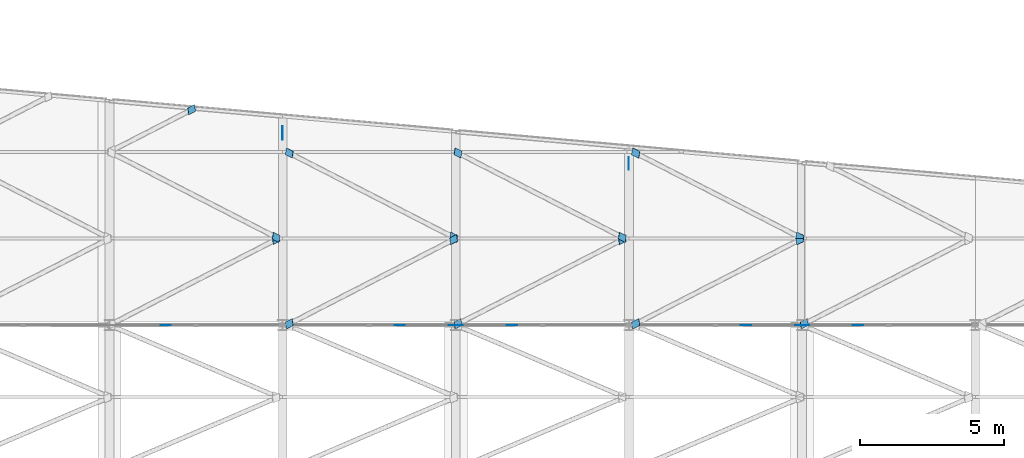
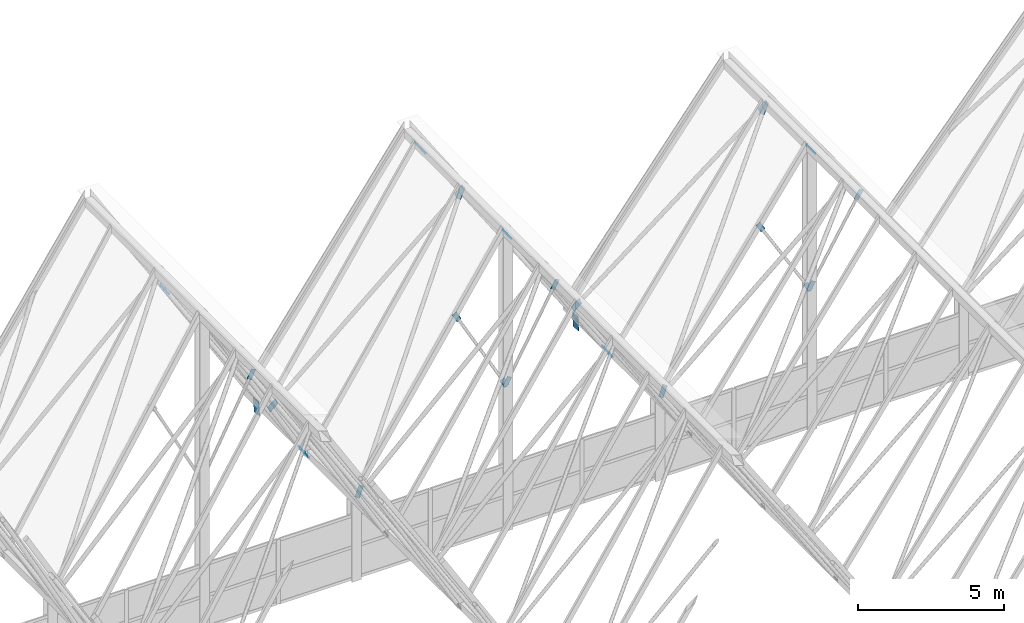
# One storey, part 427 of 483: 27 discrete accessories.
"""IFC4 building model written with IfcOpenShell, lengths in metres."""

import ifcopenshell
import ifcopenshell.guid

model = None  # the IFC model being written
_history = None  # IfcOwnerHistory: only IFC2X3 demands one
_inside = {}  # id of a spatial element -> (the spatial element, [elements in it])
_under = {}  # id of a project, library or spatial element -> (it, [spatial elements below it])
_declared = {}  # id of a project -> (the project, [libraries it declares])
_typed = {}  # id of a type object -> (the type object, [elements of that type])
_made_of = {}  # id of a material, layer set ... -> (it, [elements and type objects made of it])


def new_model(schema):
    """Start an empty IFC model of exactly this schema.

    Asked for "IFC4X3", IfcOpenShell would pick the latest addendum, in which some entities
    have other attributes; the version numbers below select the first issue.
    IFC2X3 requires an IfcOwnerHistory on every rooted entity: one is made here for all.
    """
    global model, _history
    if schema == "IFC4X3":
        model = ifcopenshell.file(schema_version=(4, 3, 0, 0))
    else:
        model = ifcopenshell.file(schema=schema)
    _inside.clear()
    _under.clear()
    _declared.clear()
    _typed.clear()
    _made_of.clear()
    _history = None
    if model.schema == "IFC2X3":
        org = make("IfcOrganization", Name="unknown")
        user = make(
            "IfcPersonAndOrganization",
            ThePerson=make("IfcPerson", FamilyName="unknown"),
            TheOrganization=org,
        )
        app = make(
            "IfcApplication",
            ApplicationDeveloper=org,
            Version="unknown",
            ApplicationFullName="unknown",
            ApplicationIdentifier="unknown",
        )
        _history = make(
            "IfcOwnerHistory",
            OwningUser=user,
            OwningApplication=app,
            ChangeAction="ADDED",
            CreationDate=0,
        )
    return model


def make(cls, **values):
    """One entity of the class cls with the attributes given. An attribute that is None is left unset."""
    return model.create_entity(
        cls, **{name: value for name, value in values.items() if value is not None}
    )


def rooted(cls, **values):
    """An entity with a GlobalId (a new one), such as an element, a storey or a relation."""
    return make(cls, GlobalId=ifcopenshell.guid.new(), OwnerHistory=_history, **values)


def si_unit(unit_type, name, prefix=None):
    """IfcSIUnit, for example si_unit("LENGTHUNIT", "METRE", prefix="MILLI")."""
    return make("IfcSIUnit", UnitType=unit_type, Prefix=prefix, Name=name)


def assignment(units):
    """IfcUnitAssignment: the units of a project."""
    return None if units is None else make("IfcUnitAssignment", Units=units)


def point(xyz):
    """IfcCartesianPoint."""
    return None if xyz is None else make("IfcCartesianPoint", Coordinates=xyz)


def direction(xyz):
    """IfcDirection."""
    return None if xyz is None else make("IfcDirection", DirectionRatios=xyz)


def frame(location, z_axis=None, x_axis=None):
    """IfcAxis2Placement3D, a coordinate frame: its origin and axes. An axis left out is left unset."""
    return make(
        "IfcAxis2Placement3D",
        Location=point(location),
        Axis=direction(z_axis),
        RefDirection=direction(x_axis),
    )


def origin():
    """The frame at (0, 0, 0) with its axes left unset."""
    return frame((0.0, 0.0, 0.0))


def place(relative_to, where):
    """IfcLocalPlacement: puts the frame where relative to a parent placement (None: the world)."""
    return make(
        "IfcLocalPlacement", PlacementRelTo=relative_to, RelativePlacement=where
    )


def context(
    kind, dimensions, precision=None, world=None, true_north=None, identifier=None
):
    """IfcGeometricRepresentationContext, for example the 3D "Model" context."""
    return make(
        "IfcGeometricRepresentationContext",
        ContextIdentifier=identifier,
        ContextType=kind,
        CoordinateSpaceDimension=dimensions,
        Precision=precision,
        WorldCoordinateSystem=world,
        TrueNorth=true_north,
    )


def subcontext(parent, identifier, kind, view, scale=None):
    """IfcGeometricRepresentationSubContext, for example "Body" below "Model"."""
    return make(
        "IfcGeometricRepresentationSubContext",
        ContextIdentifier=identifier,
        ContextType=kind,
        ParentContext=parent,
        TargetScale=scale,
        TargetView=view,
    )


def project(units=None, contexts=None):
    """IfcProject with its units and contexts."""
    return rooted(
        "IfcProject",
        Name="project",
        RepresentationContexts=contexts,
        UnitsInContext=assignment(units),
    )


def spatial(cls, under=None, at=None, **own):
    """A site, building, storey or space (cls), placed at a placement, below another one or the project."""
    s = rooted(cls, ObjectPlacement=at, **own)
    if under is not None:
        _under.setdefault(under.id(), (under, []))[1].append(s)
    return s


def polyline(points):
    """IfcPolyline through the points."""
    return make("IfcPolyline", Points=[point(p) for p in points])


def outline(outer, holes=None, kind="AREA"):
    """IfcArbitraryClosedProfileDef: a profile drawn as a closed curve; with holes, ...WithVoids."""
    if holes is None:
        return make("IfcArbitraryClosedProfileDef", ProfileType=kind, OuterCurve=outer)
    return make(
        "IfcArbitraryProfileDefWithVoids",
        ProfileType=kind,
        OuterCurve=outer,
        InnerCurves=holes,
    )


def extrude(swept, where, along, depth):
    """IfcExtrudedAreaSolid: the profile swept, set in the frame where, extruded along a direction by depth."""
    return make(
        "IfcExtrudedAreaSolid",
        SweptArea=swept,
        Position=where,
        ExtrudedDirection=direction(along),
        Depth=depth,
    )


def shape(context_of_items, identifier, shape_type, items):
    """IfcShapeRepresentation: the items that make up one representation, for example the "Body"."""
    return make(
        "IfcShapeRepresentation",
        ContextOfItems=context_of_items,
        RepresentationIdentifier=identifier,
        RepresentationType=shape_type,
        Items=items,
    )


def material(Name=None, Category=None):
    """IfcMaterial."""
    return make("IfcMaterial", Name=Name, Category=Category)


def layer(
    of_material, thickness, ventilated=None, Name=None, Category=None, Priority=None
):
    """IfcMaterialLayer: one layer of a wall or slab, of a material (None: an air gap)."""
    return make(
        "IfcMaterialLayer",
        Material=of_material,
        LayerThickness=thickness,
        IsVentilated=ventilated,
        Name=Name,
        Category=Category,
        Priority=Priority,
    )


def layer_set(layers, Name=None):
    """IfcMaterialLayerSet."""
    return make("IfcMaterialLayerSet", MaterialLayers=layers, LayerSetName=Name)


def made_of(thing, what):
    """Note that an element or type object is made of a material, layer set ...; save() writes the relation."""
    if what is not None:
        _made_of.setdefault(what.id(), (what, []))[1].append(thing)
    return thing


def type_object(cls, material=None, **own):
    """A type object (cls), such as IfcWallType, which elements share."""
    return made_of(rooted(cls, **own), material)


def element(
    cls,
    number,
    at=None,
    inside=None,
    cuts=None,
    type_object=None,
    material=None,
    context=None,
    identifier="Body",
    shape_type=None,
    held_by="IfcProductDefinitionShape",
    body=None,
    shapes=None,
    **own,
):
    """One element of the class cls, such as IfcWall. Its Tag is "e" and its number.

    at: its placement. inside: the storey or other place that contains it. cuts: it is an
    opening in that element (IfcRelVoidsElement). A single representation is given by context,
    identifier, shape_type and body (its items); several are given by shapes. held_by: the class
    of the entity that holds the representations. save() writes the other relations.
    """
    e = rooted(cls, Tag="e%d" % number, ObjectPlacement=at, **own)
    if body is not None:
        shapes = [shape(context, identifier, shape_type, body)]
    if shapes is not None:
        e.Representation = make(held_by, Representations=shapes)
    if inside is not None:
        _inside.setdefault(inside.id(), (inside, []))[1].append(e)
    if cuts is not None:
        rooted(
            "IfcRelVoidsElement", RelatingBuildingElement=cuts, RelatedOpeningElement=e
        )
    if type_object is not None:
        _typed.setdefault(type_object.id(), (type_object, []))[1].append(e)
    return made_of(e, material)


def aggregate(whole, parts):
    """IfcRelAggregates: a whole, such as a stair, and the parts it consists of."""
    return rooted("IfcRelAggregates", RelatingObject=whole, RelatedObjects=parts)


def save(model, path):
    """Write the relations noted so far, then the file.

    IfcRelAggregates (storeys below a building ...), IfcRelContainedInSpatialStructure (elements
    in a storey), IfcRelDefinesByType, IfcRelAssociatesMaterial and IfcRelDeclares: one each for
    every whole, place, type object, material and project.
    """
    for whole, parts in _under.values():
        aggregate(whole, parts)
    for where, things in _inside.values():
        rooted(
            "IfcRelContainedInSpatialStructure",
            RelatedElements=things,
            RelatingStructure=where,
        )
    for kind, things in _typed.values():
        rooted("IfcRelDefinesByType", RelatedObjects=things, RelatingType=kind)
    for what, things in _made_of.values():
        rooted("IfcRelAssociatesMaterial", RelatedObjects=things, RelatingMaterial=what)
    for by, libraries in _declared.values():
        rooted("IfcRelDeclares", RelatingContext=by, RelatedDefinitions=libraries)
    model.write(path)


model = new_model("IFC4")

# Units and contexts
model_context = context("Model", 3, precision=1e-05, world=origin(), true_north=direction((0.0, 1.0)))
body_context = subcontext(model_context, "Body", "Model", "MODEL_VIEW")
ifc_project = project(units=[si_unit("LENGTHUNIT", "METRE"), si_unit("AREAUNIT", "SQUARE_METRE"), si_unit("VOLUMEUNIT", "CUBIC_METRE"), si_unit("PLANEANGLEUNIT", "RADIAN"), si_unit("MASSUNIT", "GRAM", prefix="KILO")], contexts=[model_context])

# Site, building, storey
site_placement = place(None, origin())
site = spatial("IfcSite", under=ifc_project, at=site_placement, CompositionType="ELEMENT")
building_placement = place(site_placement, origin())
building = spatial("IfcBuilding", under=site, at=building_placement, Name="Parallax Yard Mobility Hub", CompositionType="ELEMENT")
storey_placement = place(building_placement, frame((0.0, 0.0, 13.199951171875)))
storey = spatial("IfcBuildingStorey", under=building, at=storey_placement, Name="L04", CompositionType="ELEMENT", Elevation=13.199951171875)

# Discrete accessories
ifc_material = material(Name="Steel ASTM A36", Category="steel")
ifc_layer = layer(ifc_material, 0.011962890625)
ifc_layer_set = layer_set([ifc_layer], Name="Gusset plate PL12")
discrete_accessory_type = type_object("IfcDiscreteAccessoryType", Name="Gusset plate PL12", PredefinedType="BRACKET", material=ifc_layer_set)
discrete_accessory_1_placement = place(storey_placement, frame((63.183349609375, 52.723388671875, 11.4384765625), z_axis=(0.817233065202, -0.000356728825, 0.576307200966), x_axis=(-0.552795347349, -0.283205498149, 0.783716753532)))
element("IfcDiscreteAccessory", 1, at=discrete_accessory_1_placement, inside=storey, type_object=discrete_accessory_type, Name="Gusset plate PL12 at end 1 of Plate diagonal plate F10-F11 bay 19", PredefinedType="BRACKET", context=body_context, shape_type="SweptSolid", body=[
    extrude(outline(polyline([(0.0, 0.0), (0.4482721056957862, -4.163336342344337e-17), (0.44812664163376725, 0.2482415157999427), (-0.00014546406201890183, 0.2482415157999427), (0.0, 0.0)])), origin(), (0.0, 0.0, -1.0), 0.011962890625),
])
discrete_accessory_2_placement = place(storey_placement, frame((44.67919921875, 55.28515625, 3.689697265625), z_axis=(0.854141993401, 0.000367941649, 0.520039728989), x_axis=(0.50240475338, 0.257625649475, -0.825359611632)))
element("IfcDiscreteAccessory", 2, at=discrete_accessory_2_placement, inside=storey, type_object=discrete_accessory_type, Name="Gusset plate PL12 at end 2 of Plate diagonal plate F6-F7 bay 19", PredefinedType="BRACKET", context=body_context, shape_type="SweptSolid", body=[
    extrude(outline(polyline([(0.0, 0.0), (0.448241291795483, 1.3877787807814457e-17), (0.4483295166068283, 0.24835071098278552), (-5.3518476674355164e-05, 0.24813570610908123), (0.0, 0.0)])), origin(), (0.0, 0.0, -1.0), 0.011962890625),
])
for number, where, z_axis, x_axis, name in (
    (3, (45.328125, 52.718994140625, 3.680908203125), (-0.837001748112, -0.000115134597, 0.547200201391), (-0.526843575848, -0.270050602449, -0.80592091343), "Gusset plate PL12 at end 1 of Plate diagonal plate F7-F8 bay 19"),
    (4, (50.82421875, 55.281005859375, 12.088134765625), (-0.837001748112, -0.000115134597, 0.547200201391), (0.526843575848, 0.270050602449, 0.80592091343), "Gusset plate PL12 at end 2 of Plate diagonal plate F7-F8 bay 19"),
    (5, (51.17578125, 52.718994140625, 12.088134765625), (0.837001748112, 0.000115134597, 0.547200201391), (-0.526843575848, -0.270050602449, 0.80592091343), "Gusset plate PL12 at end 1 of Plate diagonal plate F8-F9 bay 19"),
    (6, (56.671875, 55.281005859375, 3.680908203125), (0.837001748112, 0.000115134597, 0.547200201391), (0.526843575848, 0.270050602449, -0.80592091343), "Gusset plate PL12 at end 2 of Plate diagonal plate F8-F9 bay 19"),
):
    element("IfcDiscreteAccessory", number, at=place(storey_placement, frame(where, z_axis=z_axis, x_axis=x_axis)), inside=storey, type_object=discrete_accessory_type, Name=name, PredefinedType="BRACKET", context=body_context, shape_type="SweptSolid", body=[
        extrude(outline(polyline([(0.0, 0.0), (0.4484112871368857, -1.3877787807814457e-17), (0.4482805131514711, 0.2482733151511486), (-2.1500655297129745e-06, 0.24823721541154264), (0.0, 0.0)])), origin(), (0.0, 0.0, -1.0), 0.011962890625),
    ])
discrete_accessory_3_placement = place(storey_placement, frame((57.335693359375, 52.723388671875, 3.6708984375), z_axis=(-0.817100065981, 0.000129396714, 0.576495850315), x_axis=(-0.552923628498, -0.283205481325, -0.78362626066)))
element("IfcDiscreteAccessory", 7, at=discrete_accessory_3_placement, inside=storey, type_object=discrete_accessory_type, Name="Gusset plate PL12 at end 1 of Plate diagonal plate F9-F10 bay 19", PredefinedType="BRACKET", context=body_context, shape_type="SweptSolid", body=[
    extrude(outline(polyline([(0.0, 0.0), (0.4482721001719502, -2.7755575615628914e-17), (0.44812664715581085, 0.24824150583152582), (4.586198890468157e-05, 0.24818499246141407), (0.0, 0.0)])), origin(), (0.0, 0.0, -1.0), 0.011962890625),
])
discrete_accessory_4_placement = place(storey_placement, frame((62.816650390625, 55.276611328125, 11.4384765625), z_axis=(-0.817233065202, 0.000356728825, 0.576307200966), x_axis=(0.552795347349, 0.283205498149, 0.783716753532)))
element("IfcDiscreteAccessory", 8, at=discrete_accessory_4_placement, inside=storey, type_object=discrete_accessory_type, Name="Gusset plate PL12 at end 2 of Plate diagonal plate F9-F10 bay 19", PredefinedType="BRACKET", context=body_context, shape_type="SweptSolid", body=[
    extrude(outline(polyline([(0.0, 0.0), (0.4482721056957862, -4.163336342344337e-17), (0.44812664163376725, 0.2482415157999427), (-0.00014546406201890183, 0.2482415157999427), (0.0, 0.0)])), origin(), (0.0, 0.0, -1.0), 0.011962890625),
])
discrete_accessory_5_placement = place(storey_placement, frame((44.64599609375, 55.47509765625, 3.744384765625), z_axis=(0.854141993401, -0.000367941649, 0.520039728989), x_axis=(0.502340307164, -0.258088945379, -0.8252540894)))
element("IfcDiscreteAccessory", 9, at=discrete_accessory_5_placement, inside=storey, type_object=discrete_accessory_type, Name="Gusset plate PL12 at end 1 of Plate diagonal plate F6-F7 bay 20", PredefinedType="BRACKET", context=body_context, shape_type="SweptSolid", body=[
    extrude(outline(polyline([(0.0, 0.0), (0.44838308663216686, -1.3877787807814457e-17), (0.448175774793917, 0.24835064012616143), (-6.546546920333657e-05, 0.24813570324472056), (0.0, 0.0)])), origin(), (0.0, 0.0, -1.0), 0.011962890625),
])
for number, where, z_axis, x_axis, name in (
    (10, (50.78759765625, 55.47998046875, 12.031982421875), (-0.837001748112, 0.000115134597, 0.547200201391), (0.526831666762, -0.270128138577, 0.805902713512), "Gusset plate PL12 at end 1 of Plate diagonal plate F7-F8 bay 20"),
    (11, (45.36474609375, 58.52001953125, 3.737060546875), (-0.837001748112, 0.000115134597, 0.547200201391), (-0.526831666762, 0.270128138577, -0.805902713512), "Gusset plate PL12 at end 2 of Plate diagonal plate F7-F8 bay 20"),
    (12, (56.63525390625, 55.47998046875, 3.737060546875), (0.837001748112, -0.000115134597, 0.547200201391), (0.526831666762, -0.270128138577, -0.805902713512), "Gusset plate PL12 at end 1 of Plate diagonal plate F8-F9 bay 20"),
    (13, (51.21240234375, 58.52001953125, 12.031982421875), (0.837001748112, -0.000115134597, 0.547200201391), (-0.526831666762, 0.270128138577, 0.805902713512), "Gusset plate PL12 at end 2 of Plate diagonal plate F8-F9 bay 20"),
):
    element("IfcDiscreteAccessory", number, at=place(storey_placement, frame(where, z_axis=z_axis, x_axis=x_axis)), inside=storey, type_object=discrete_accessory_type, Name=name, PredefinedType="BRACKET", context=body_context, shape_type="SweptSolid", body=[
        extrude(outline(polyline([(0.0, 0.0), (0.44828266467053823, 0.0), (0.44839344546209436, 0.24827332487722686), (-1.7840220836971843e-05, 0.24823721477978666), (0.0, 0.0)])), origin(), (0.0, 0.0, -1.0), 0.011962890625),
    ])
discrete_accessory_6_placement = place(storey_placement, frame((62.776123046875, 55.4853515625, 11.380859375), z_axis=(-0.817233065202, -0.000356728825, 0.576307200966), x_axis=(0.552795347349, -0.283205498149, 0.783716753532)))
element("IfcDiscreteAccessory", 14, at=discrete_accessory_6_placement, inside=storey, type_object=discrete_accessory_type, Name="Gusset plate PL12 at end 1 of Plate diagonal plate F9-F10 bay 20", PredefinedType="BRACKET", context=body_context, shape_type="SweptSolid", body=[
    extrude(outline(polyline([(0.0, 0.0), (0.4482721056957862, 4.163336342344337e-17), (0.4484175697578051, 0.2482415157999427), (0.00014546406201890183, 0.2482415157999427), (0.0, 0.0)])), origin(), (0.0, 0.0, -1.0), 0.011962890625),
])
discrete_accessory_7_placement = place(storey_placement, frame((57.376220703125, 58.5146484375, 3.728271484375), z_axis=(-0.817100065981, -0.000129396714, 0.576495850315), x_axis=(-0.552903045164, 0.283326438667, -0.783597059592)))
element("IfcDiscreteAccessory", 15, at=discrete_accessory_7_placement, inside=storey, type_object=discrete_accessory_type, Name="Gusset plate PL12 at end 2 of Plate diagonal plate F9-F10 bay 20", PredefinedType="BRACKET", context=body_context, shape_type="SweptSolid", body=[
    extrude(outline(polyline([(0.0, 0.0), (0.44808078873072893, -1.3877787807814457e-17), (0.4481949327397263, 0.24824152220212592), (-7.716386687949689e-05, 0.24818498470320846), (0.0, 0.0)])), origin(), (0.0, 0.0, -1.0), 0.011962890625),
])
discrete_accessory_8_placement = place(storey_placement, frame((41.747802734375, 59.78125, 8.810791015625), z_axis=(0.838338150695, -0.008811090717, 0.545079360984), x_axis=(0.526830264754, 0.270126121911, -0.805904305982)))
element("IfcDiscreteAccessory", 16, at=discrete_accessory_8_placement, inside=storey, type_object=discrete_accessory_type, Name="Gusset plate PL12 at end 2 of Plate diagonal plate F6-F7 bay 21", PredefinedType="BRACKET", context=body_context, shape_type="SweptSolid", body=[
    extrude(outline(polyline([(0.0, 0.0), (0.4482826648775733, -2.7755575615628914e-17), (0.4484111292262526, 0.2484709412596441), (-6.610508165897505e-05, 0.2482701001093498), (0.0, 0.0)])), origin(), (0.0, 0.0, -1.0), 0.011962890625),
])
discrete_accessory_9_placement = place(storey_placement, frame((40.769287109375, 52.5, 9.826171875), z_axis=(0.0, 1.0, 0.0), x_axis=(0.459557706456, 0.0, 0.888147912477)))
element("IfcDiscreteAccessory", 17, at=discrete_accessory_9_placement, inside=storey, type_object=discrete_accessory_type, Name="Gusset plate PL12 at end 2 of Gable knee brace F6 north east", PredefinedType="BRACKET", context=body_context, shape_type="SweptSolid", body=[
    extrude(outline(polyline([(0.0, 0.0), (0.3941884581743374, 0.0), (0.39415065604978294, 0.19436491569433473), (-0.00014999883023220084, 0.1941480827078902), (0.0, 0.0)])), origin(), (0.0, 0.0, -1.0), 0.011962890625),
])
discrete_accessory_10_placement = place(storey_placement, frame((50.9326171875, 52.5, 6.322021484375), z_axis=(0.0, 1.0, 0.0), x_axis=(0.484696589666, 0.0, -0.874682351466)))
element("IfcDiscreteAccessory", 18, at=discrete_accessory_10_placement, inside=storey, type_object=discrete_accessory_type, Name="Gusset plate PL12 at end 1 of Gable knee brace F8 north west", PredefinedType="BRACKET", context=body_context, shape_type="SweptSolid", body=[
    extrude(outline(polyline([(0.0, 0.0), (0.39439540828368724, 0.0), (0.39424987090745744, 0.1941863046000413), (-0.0001455373762298401, 0.19418630460004133), (0.0, 0.0)])), origin(), (0.0, 0.0, -1.0), 0.011962890625),
])
discrete_accessory_11_placement = place(storey_placement, frame((49.0673828125, 52.5, 9.2890625), z_axis=(0.0, 1.0, 0.0), x_axis=(-0.484959149082, 0.0, 0.874536805241)))
element("IfcDiscreteAccessory", 19, at=discrete_accessory_11_placement, inside=storey, type_object=discrete_accessory_type, Name="Gusset plate PL12 at end 2 of Gable knee brace F8 north west", PredefinedType="BRACKET", context=body_context, shape_type="SweptSolid", body=[
    extrude(outline(polyline([(0.0, 0.0), (0.3941818805497862, 0.0), (0.39419155805515577, 0.19430465038906203), (-0.0002038324568474914, 0.19418625215930566), (0.0, 0.0)])), origin(), (0.0, 0.0, -1.0), 0.011962890625),
])
discrete_accessory_12_placement = place(storey_placement, frame((51.2373046875, 52.5, 6.22802734375), z_axis=(0.0, 1.0, 0.0), x_axis=(-0.484696589666, 0.0, -0.874682351466)))
element("IfcDiscreteAccessory", 20, at=discrete_accessory_12_placement, inside=storey, type_object=discrete_accessory_type, Name="Gusset plate PL12 at end 1 of Gable knee brace F8 north east", PredefinedType="BRACKET", context=body_context, shape_type="SweptSolid", body=[
    extrude(outline(polyline([(0.0, 0.0), (0.39439540828368724, 0.0), (0.39454094565991704, 0.19418630460004133), (0.0001455373762298401, 0.19418630460004133), (0.0, 0.0)])), origin(), (0.0, 0.0, -1.0), 0.011962890625),
])
discrete_accessory_13_placement = place(storey_placement, frame((52.7626953125, 52.5, 9.383056640625), z_axis=(0.0, 1.0, 0.0), x_axis=(0.484696589666, 0.0, 0.874682351466)))
element("IfcDiscreteAccessory", 21, at=discrete_accessory_13_placement, inside=storey, type_object=discrete_accessory_type, Name="Gusset plate PL12 at end 2 of Gable knee brace F8 north east", PredefinedType="BRACKET", context=body_context, shape_type="SweptSolid", body=[
    extrude(outline(polyline([(0.0, 0.0), (0.39439540828368724, 0.0), (0.3943274001639537, 0.19430463872837772), (0.0001455373762298401, 0.19418630460004133), (0.0, 0.0)])), origin(), (0.0, 0.0, -1.0), 0.011962890625),
])
for number, where, z_axis, x_axis, name in (
    (22, (62.9228515625, 52.5, 6.11962890625), (0.0, 1.0, 0.0), (0.51139678062, 0.0, -0.85934471126), "Gusset plate PL12 at end 1 of Gable knee brace F10 north west"),
    (23, (61.0771484375, 52.5, 8.841552734375), (0.0, 1.0, 0.0), (-0.51139678062, 0.0, 0.85934471126), "Gusset plate PL12 at end 2 of Gable knee brace F10 north west"),
):
    element("IfcDiscreteAccessory", number, at=place(storey_placement, frame(where, z_axis=z_axis, x_axis=x_axis)), inside=storey, type_object=discrete_accessory_type, Name=name, PredefinedType="BRACKET", context=body_context, shape_type="SweptSolid", body=[
        extrude(outline(polyline([(0.0, 0.0), (0.39433208008344256, -2.7755575615628914e-17), (0.39411200069559615, 0.19419406138524034), (-1.027843294887365e-05, 0.194318914114884), (0.0, 0.0)])), origin(), (0.0, 0.0, -1.0), 0.011962890625),
    ])
for number, where, z_axis, x_axis, name in (
    (24, (63.244140625, 52.5, 6.020263671875), (0.0, 1.0, 0.0), (-0.511668983995, 0.0, -0.859182664407), "Gusset plate PL12 at end 1 of Gable knee brace F10 north east"),
    (25, (64.755859375, 52.5, 8.94091796875), (0.0, 1.0, 0.0), (0.511668983995, 0.0, 0.859182664407), "Gusset plate PL12 at end 2 of Gable knee brace F10 north east"),
):
    element("IfcDiscreteAccessory", number, at=place(storey_placement, frame(where, z_axis=z_axis, x_axis=x_axis)), inside=storey, type_object=discrete_accessory_type, Name=name, PredefinedType="BRACKET", context=body_context, shape_type="SweptSolid", body=[
        extrude(outline(polyline([(0.0, 0.0), (0.39412229890439193, 2.7755575615628914e-17), (0.39440389639045226, 0.1941939819229404), (7.18360933827239e-05, 0.19431890110848593), (0.0, 0.0)])), origin(), (0.0, 0.0, -1.0), 0.011962890625),
    ])
discrete_accessory_14_placement = place(storey_placement, frame((45.0, 59.305908203125, 2.8232421875), z_axis=(1.0, 0.0, 0.0), x_axis=(0.0, 0.139433929098, 0.990231376708)))
element("IfcDiscreteAccessory", 26, at=discrete_accessory_14_placement, inside=storey, type_object=discrete_accessory_type, Name="Gusset plate PL12 at end 2 of Prow strut F7", PredefinedType="BRACKET", context=body_context, shape_type="SweptSolid", body=[
    extrude(outline(polyline([(0.0, 0.0), (0.5848143940110443, 0.0), (0.5848618890192893, 0.3848697859966248), (4.749500824496877e-05, 0.38486978599662475), (0.0, 0.0)])), origin(), (0.0, 0.0, -1.0), 0.011962890625),
])
discrete_accessory_15_placement = place(storey_placement, frame((57.0, 58.27001953125, 2.832763671875), z_axis=(1.0, 0.0, 0.0), x_axis=(0.0, 0.071810775663, 0.997418273594)))
element("IfcDiscreteAccessory", 27, at=discrete_accessory_15_placement, inside=storey, type_object=discrete_accessory_type, Name="Gusset plate PL12 at end 2 of Prow strut F9", PredefinedType="BRACKET", context=body_context, shape_type="SweptSolid", body=[
    extrude(outline(polyline([(0.0, 0.0), (0.5847616477122644, 6.938893903907228e-18), (0.5847005917549181, 0.3850228422882915), (-4.3524029694260585e-05, 0.38477933196758984), (0.0, 0.0)])), origin(), (0.0, 0.0, -1.0), 0.011962890625),
])

save(model, "model.ifc")
